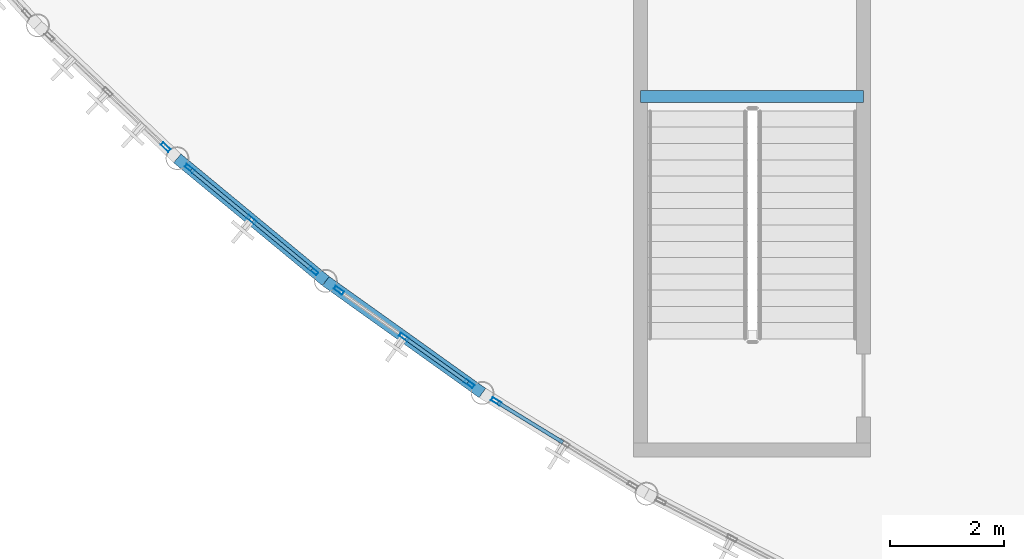
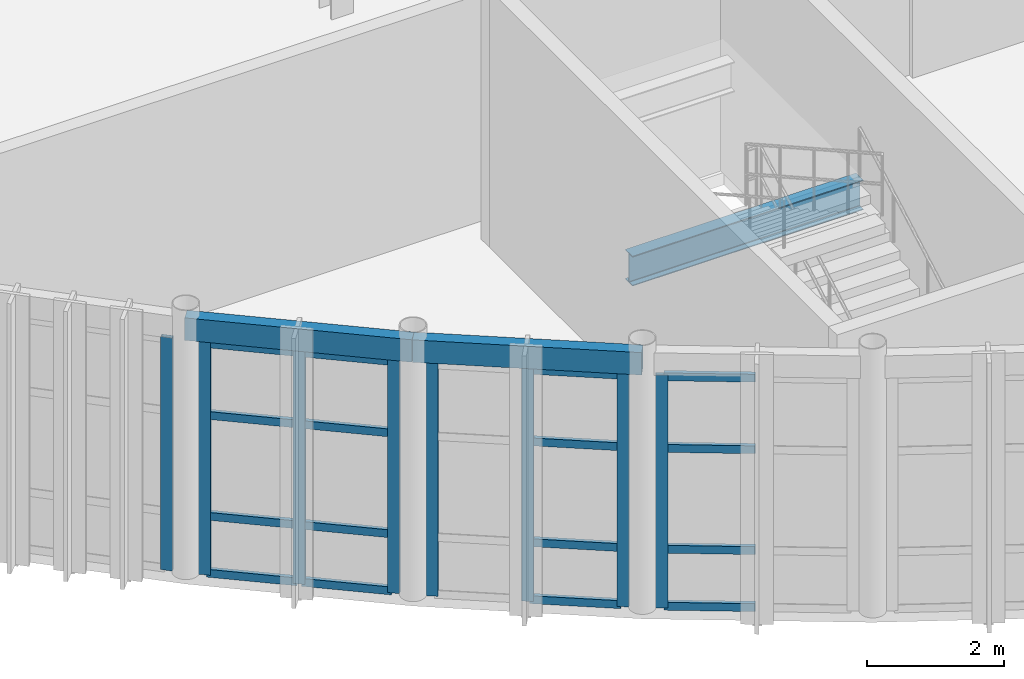
# One storey, part 19 of 105: 24 members, 3 beams, 4 elements without a shape of their own.
"""IFC4 building model written with IfcOpenShell, lengths in metres."""

from ifc_helpers import new_model, si_unit, direction, frame, origin, origin_2d, place, context, subcontext, project, spatial, hollow_rectangle, i_section, extrude, material, layer, layer_set, material_profile, profile_set, type_object, element, aggregate, save


model = new_model("IFC4")

# Units and contexts
model_context = context("Model", 3, precision=1e-05, world=origin(), true_north=direction((0.0, 1.0)))
body_context = subcontext(model_context, "Body", "Model", "MODEL_VIEW")
ifc_project = project(units=[si_unit("LENGTHUNIT", "METRE"), si_unit("AREAUNIT", "SQUARE_METRE"), si_unit("VOLUMEUNIT", "CUBIC_METRE"), si_unit("PLANEANGLEUNIT", "RADIAN"), si_unit("MASSUNIT", "GRAM", prefix="KILO")], contexts=[model_context])

# Site, building, storey
site_placement = place(None, origin())
site = spatial("IfcSite", under=ifc_project, at=site_placement, CompositionType="ELEMENT")
building_placement = place(site_placement, origin())
building = spatial("IfcBuilding", under=site, at=building_placement, Name="Selat Folded Stagehouse", CompositionType="ELEMENT")
storey_placement = place(building_placement, frame((0.0, 0.0, 10.199951171875)))
storey = spatial("IfcBuildingStorey", under=building, at=storey_placement, Name="L02", CompositionType="ELEMENT", Elevation=10.199951171875)

# Beam
ifc_material_1 = material(Name="Steel S355", Category="steel")
ifc_material_profile_1 = material_profile(ifc_material_1, i_section(OverallWidth=0.209228515625, OverallDepth=0.533203125, WebThickness=0.010009765625, FlangeThickness=0.015625, FilletRadius=0.0126953125, at=origin_2d()), Name="UKB 533x210x92")
ifc_profile_set_1 = profile_set([ifc_material_profile_1], Name="Steel S355")
beam_type_1 = type_object("IfcBeamType", Name="BM-GIRD-533x210x92", PredefinedType="BEAM", material=ifc_profile_set_1)
beam_placement = place(storey_placement, frame((24.239990234375, 13.179931640625, 1.933349609375), z_axis=(1.0, 0.0, 0.0), x_axis=(0.0, 1.0, 0.0)))
element("IfcBeam", 1, at=beam_placement, inside=storey, type_object=beam_type_1, Name="L02 ST-09 landing support beam 1", PredefinedType="BEAM", context=body_context, shape_type="SweptSolid", body=[
    extrude(i_section(OverallWidth=0.209228515625, OverallDepth=0.533203125, WebThickness=0.010009765625, FlangeThickness=0.015625, FilletRadius=0.0126953125, at=origin_2d()), origin(), (0.0, 0.0, 1.0), 3.89990234375),
])

# Curtain wall, member
ifc_material_2 = material(Name="Aluminium 6063-T6", Category="aluminium")
ifc_layer = layer(ifc_material_2, 0.199951171875)
ifc_layer_set = layer_set([ifc_layer], Name="Aluminium 6063-T6")
curtain_wall_type = type_object("IfcCurtainWallType", Name="CW-DRM-MID", PredefinedType="NOTDEFINED", material=ifc_layer_set)
curtain_wall_1_placement = place(storey_placement, origin())
curtain_wall_1 = element("IfcCurtainWall", 2, at=curtain_wall_1_placement, inside=storey, type_object=curtain_wall_type, Name="L02 curtain wall CW-DRM-L02-13", PredefinedType="NOTDEFINED")
ifc_material_profile_2 = material_profile(ifc_material_2, hollow_rectangle(XDim=0.06494140625, YDim=0.179931640625, WallThickness=0.00390625, at=origin_2d()), Name="ALU 180x65x4.0")
ifc_profile_set_2 = profile_set([ifc_material_profile_2], Name="Aluminium 6063-T6")
member_type_1 = type_object("IfcMemberType", Name="CWM-MUL-180x65", PredefinedType="MULLION", material=ifc_profile_set_2)
member_1_placement = place(storey_placement, frame((15.932373046875, 12.295654296875, 0.0), z_axis=(0.0, 0.0, 1.0), x_axis=(-0.689661264636, -0.724132128869, 0.0)))
member_1 = element("IfcMember", 3, at=member_1_placement, type_object=member_type_1, Name="CW-02 mullion 1", PredefinedType="MULLION", context=body_context, shape_type="SweptSolid", body=[
    extrude(hollow_rectangle(XDim=0.06494140625, YDim=0.179931640625, WallThickness=0.00390625, at=origin_2d()), origin(), (0.0, 0.0, 1.0), 4.16015625),
])
aggregate(curtain_wall_1, [member_1])

# Curtain wall, members
curtain_wall_2_placement = place(storey_placement, origin())
curtain_wall_2 = element("IfcCurtainWall", 4, at=curtain_wall_2_placement, inside=storey, type_object=curtain_wall_type, Name="L02 curtain wall CW-DRM-L02-14", PredefinedType="NOTDEFINED")
member_2_placement = place(storey_placement, frame((18.515869140625, 10.13427734375, 0.0), z_axis=(0.0, 0.0, 1.0), x_axis=(-0.637141737734, -0.770746654899, 0.0)))
member_2 = element("IfcMember", 5, at=member_2_placement, type_object=member_type_1, Name="CW-02 mullion 1", PredefinedType="MULLION", context=body_context, shape_type="SweptSolid", body=[
    extrude(hollow_rectangle(XDim=0.06494140625, YDim=0.179931640625, WallThickness=0.00390625, at=origin_2d()), origin(), (0.0, 0.0, 1.0), 4.16015625),
])
member_3_placement = place(storey_placement, frame((17.435302734375, 11.027587890625, 0.0), z_axis=(0.0, 0.0, 1.0), x_axis=(-0.637141737734, -0.770746654899, 0.0)))
member_3 = element("IfcMember", 6, at=member_3_placement, type_object=member_type_1, Name="CW-02 mullion 2", PredefinedType="MULLION", context=body_context, shape_type="SweptSolid", body=[
    extrude(hollow_rectangle(XDim=0.06494140625, YDim=0.179931640625, WallThickness=0.00390625, at=origin_2d()), origin(), (0.0, 0.0, 1.0), 4.16015625),
])
member_4_placement = place(storey_placement, frame((16.354736328125, 11.9208984375, 0.0), z_axis=(0.0, 0.0, 1.0), x_axis=(-0.637141737734, -0.770746654899, 0.0)))
member_4 = element("IfcMember", 7, at=member_4_placement, type_object=member_type_1, Name="CW-02 mullion 3", PredefinedType="MULLION", context=body_context, shape_type="SweptSolid", body=[
    extrude(hollow_rectangle(XDim=0.06494140625, YDim=0.179931640625, WallThickness=0.00390625, at=origin_2d()), origin(), (0.0, 0.0, 1.0), 4.16015625),
])

curtain_wall_3_placement = place(storey_placement, origin())
curtain_wall_3 = element("IfcCurtainWall", 8, at=curtain_wall_3_placement, inside=storey, type_object=curtain_wall_type, Name="L02 curtain wall CW-DRM-L02-15", PredefinedType="NOTDEFINED")
member_5_placement = place(storey_placement, frame((21.24462890625, 8.159423828125, 0.0), z_axis=(0.0, 0.0, 1.0), x_axis=(-0.581528304836, -0.813526170861, 0.0)))
member_5 = element("IfcMember", 9, at=member_5_placement, type_object=member_type_1, Name="CW-02 mullion 1", PredefinedType="MULLION", context=body_context, shape_type="SweptSolid", body=[
    extrude(hollow_rectangle(XDim=0.06494140625, YDim=0.179931640625, WallThickness=0.00390625, at=origin_2d()), origin(), (0.0, 0.0, 1.0), 4.16015625),
])
member_6_placement = place(storey_placement, frame((20.10400390625, 8.974609375, 0.0), z_axis=(0.0, 0.0, 1.0), x_axis=(-0.581528304836, -0.813526170861, 0.0)))
member_6 = element("IfcMember", 10, at=member_6_placement, type_object=member_type_1, Name="CW-02 mullion 2", PredefinedType="MULLION", context=body_context, shape_type="SweptSolid", body=[
    extrude(hollow_rectangle(XDim=0.06494140625, YDim=0.179931640625, WallThickness=0.00390625, at=origin_2d()), origin(), (0.0, 0.0, 1.0), 4.16015625),
])
member_7_placement = place(storey_placement, frame((18.96337890625, 9.7900390625, 0.0), z_axis=(0.0, 0.0, 1.0), x_axis=(-0.581528304836, -0.813526170861, 0.0)))
member_7 = element("IfcMember", 11, at=member_7_placement, type_object=member_type_1, Name="CW-02 mullion 3", PredefinedType="MULLION", context=body_context, shape_type="SweptSolid", body=[
    extrude(hollow_rectangle(XDim=0.06494140625, YDim=0.179931640625, WallThickness=0.00390625, at=origin_2d()), origin(), (0.0, 0.0, 1.0), 4.16015625),
])

# Curtain wall, member
curtain_wall_4_placement = place(storey_placement, origin())
curtain_wall_4 = element("IfcCurtainWall", 12, at=curtain_wall_4_placement, inside=storey, type_object=curtain_wall_type, Name="L02 curtain wall CW-DRM-L02-16", PredefinedType="NOTDEFINED")
member_8_placement = place(storey_placement, frame((21.715087890625, 7.847412109375, 0.0), z_axis=(0.0, 0.0, 1.0), x_axis=(-0.523025427755, -0.852317078277, 0.0)))
member_8 = element("IfcMember", 13, at=member_8_placement, type_object=member_type_1, Name="CW-02 mullion 3", PredefinedType="MULLION", context=body_context, shape_type="SweptSolid", body=[
    extrude(hollow_rectangle(XDim=0.06494140625, YDim=0.179931640625, WallThickness=0.00390625, at=origin_2d()), origin(), (0.0, 0.0, 1.0), 4.16015625),
])

# Member
ifc_material_profile_3 = material_profile(ifc_material_2, hollow_rectangle(XDim=0.06494140625, YDim=0.139892578125, WallThickness=0.00390625, at=origin_2d()), Name="ALU 140x65x4.0")
ifc_profile_set_3 = profile_set([ifc_material_profile_3], Name="Aluminium 6063-T6")
member_type_2 = type_object("IfcMemberType", Name="CWM-TRN-140x65", PredefinedType="USERDEFINED", material=ifc_profile_set_3)
member_9_placement = place(storey_placement, frame((18.49072265625, 10.155029296875, 0.032470703125), z_axis=(-0.770700463685, 0.637197610852, 0.0), x_axis=(-0.637197610852, -0.770700463685, 0.0)))
member_9 = element("IfcMember", 14, at=member_9_placement, type_object=member_type_2, Name="CW-02 transom 1.1", ObjectType="TRANSOM", PredefinedType="USERDEFINED", context=body_context, shape_type="SweptSolid", body=[
    extrude(hollow_rectangle(XDim=0.06494140625, YDim=0.139892578125, WallThickness=0.00390625, at=origin_2d()), origin(), (0.0, 0.0, 1.0), 1.3369140625),
])

member_10_placement = place(storey_placement, frame((18.49072265625, 10.155029296875, 1.050048828125), z_axis=(-0.770700463685, 0.637197610852, 0.0), x_axis=(-0.637197610852, -0.770700463685, 0.0)))
member_10 = element("IfcMember", 15, at=member_10_placement, type_object=member_type_2, Name="CW-02 transom 1.2", ObjectType="TRANSOM", PredefinedType="USERDEFINED", context=body_context, shape_type="SweptSolid", body=[
    extrude(hollow_rectangle(XDim=0.06494140625, YDim=0.139892578125, WallThickness=0.00390625, at=origin_2d()), origin(), (0.0, 0.0, 1.0), 1.3369140625),
])

member_11_placement = place(storey_placement, frame((18.49072265625, 10.155029296875, 2.85009765625), z_axis=(-0.770700463685, 0.637197610852, 0.0), x_axis=(-0.637197610852, -0.770700463685, 0.0)))
member_11 = element("IfcMember", 16, at=member_11_placement, type_object=member_type_2, Name="CW-02 transom 1.3", ObjectType="TRANSOM", PredefinedType="USERDEFINED", context=body_context, shape_type="SweptSolid", body=[
    extrude(hollow_rectangle(XDim=0.06494140625, YDim=0.139892578125, WallThickness=0.00390625, at=origin_2d()), origin(), (0.0, 0.0, 1.0), 1.3369140625),
])

member_12_placement = place(storey_placement, frame((18.49072265625, 10.155029296875, 4.12744140625), z_axis=(-0.770700463685, 0.637197610852, 0.0), x_axis=(-0.637197610852, -0.770700463685, 0.0)))
member_12 = element("IfcMember", 17, at=member_12_placement, type_object=member_type_2, Name="CW-02 transom 1.4", ObjectType="TRANSOM", PredefinedType="USERDEFINED", context=body_context, shape_type="SweptSolid", body=[
    extrude(hollow_rectangle(XDim=0.06494140625, YDim=0.139892578125, WallThickness=0.00390625, at=origin_2d()), origin(), (0.0, 0.0, 1.0), 1.3369140625),
])

member_13_placement = place(storey_placement, frame((17.41015625, 11.04833984375, 0.032470703125), z_axis=(-0.770700463685, 0.637197610852, 0.0), x_axis=(-0.637197610852, -0.770700463685, 0.0)))
member_13 = element("IfcMember", 18, at=member_13_placement, type_object=member_type_2, Name="CW-02 transom 2.1", ObjectType="TRANSOM", PredefinedType="USERDEFINED", context=body_context, shape_type="SweptSolid", body=[
    extrude(hollow_rectangle(XDim=0.06494140625, YDim=0.139892578125, WallThickness=0.00390625, at=origin_2d()), origin(), (0.0, 0.0, 1.0), 1.3369140625),
])

member_14_placement = place(storey_placement, frame((17.41015625, 11.04833984375, 1.050048828125), z_axis=(-0.770700463685, 0.637197610852, 0.0), x_axis=(-0.637197610852, -0.770700463685, 0.0)))
member_14 = element("IfcMember", 19, at=member_14_placement, type_object=member_type_2, Name="CW-02 transom 2.2", ObjectType="TRANSOM", PredefinedType="USERDEFINED", context=body_context, shape_type="SweptSolid", body=[
    extrude(hollow_rectangle(XDim=0.06494140625, YDim=0.139892578125, WallThickness=0.00390625, at=origin_2d()), origin(), (0.0, 0.0, 1.0), 1.3369140625),
])

member_15_placement = place(storey_placement, frame((17.41015625, 11.04833984375, 2.85009765625), z_axis=(-0.770700463685, 0.637197610852, 0.0), x_axis=(-0.637197610852, -0.770700463685, 0.0)))
member_15 = element("IfcMember", 20, at=member_15_placement, type_object=member_type_2, Name="CW-02 transom 2.3", ObjectType="TRANSOM", PredefinedType="USERDEFINED", context=body_context, shape_type="SweptSolid", body=[
    extrude(hollow_rectangle(XDim=0.06494140625, YDim=0.139892578125, WallThickness=0.00390625, at=origin_2d()), origin(), (0.0, 0.0, 1.0), 1.3369140625),
])

member_16_placement = place(storey_placement, frame((17.41015625, 11.04833984375, 4.12744140625), z_axis=(-0.770700463685, 0.637197610852, 0.0), x_axis=(-0.637197610852, -0.770700463685, 0.0)))
member_16 = element("IfcMember", 21, at=member_16_placement, type_object=member_type_2, Name="CW-02 transom 2.4", ObjectType="TRANSOM", PredefinedType="USERDEFINED", context=body_context, shape_type="SweptSolid", body=[
    extrude(hollow_rectangle(XDim=0.06494140625, YDim=0.139892578125, WallThickness=0.00390625, at=origin_2d()), origin(), (0.0, 0.0, 1.0), 1.3369140625),
])

aggregate(curtain_wall_2, [member_2, member_3, member_4, member_9, member_10, member_11, member_12, member_13, member_14, member_15, member_16])

member_17_placement = place(storey_placement, frame((21.218017578125, 8.17822265625, 0.032470703125), z_axis=(-0.813486640015, 0.581583602345, 0.0), x_axis=(-0.581583602345, -0.813486640015, 0.0)))
member_17 = element("IfcMember", 22, at=member_17_placement, type_object=member_type_2, Name="CW-02 transom 1.1", ObjectType="TRANSOM", PredefinedType="USERDEFINED", context=body_context, shape_type="SweptSolid", body=[
    extrude(hollow_rectangle(XDim=0.06494140625, YDim=0.139892578125, WallThickness=0.00390625, at=origin_2d()), origin(), (0.0, 0.0, 1.0), 1.3369140625),
])

member_18_placement = place(storey_placement, frame((21.218017578125, 8.17822265625, 1.050048828125), z_axis=(-0.813486640015, 0.581583602345, 0.0), x_axis=(-0.581583602345, -0.813486640015, 0.0)))
member_18 = element("IfcMember", 23, at=member_18_placement, type_object=member_type_2, Name="CW-02 transom 1.2", ObjectType="TRANSOM", PredefinedType="USERDEFINED", context=body_context, shape_type="SweptSolid", body=[
    extrude(hollow_rectangle(XDim=0.06494140625, YDim=0.139892578125, WallThickness=0.00390625, at=origin_2d()), origin(), (0.0, 0.0, 1.0), 1.3369140625),
])

member_19_placement = place(storey_placement, frame((21.218017578125, 8.17822265625, 2.85009765625), z_axis=(-0.813486640015, 0.581583602345, 0.0), x_axis=(-0.581583602345, -0.813486640015, 0.0)))
member_19 = element("IfcMember", 24, at=member_19_placement, type_object=member_type_2, Name="CW-02 transom 1.3", ObjectType="TRANSOM", PredefinedType="USERDEFINED", context=body_context, shape_type="SweptSolid", body=[
    extrude(hollow_rectangle(XDim=0.06494140625, YDim=0.139892578125, WallThickness=0.00390625, at=origin_2d()), origin(), (0.0, 0.0, 1.0), 1.3369140625),
])

member_20_placement = place(storey_placement, frame((21.218017578125, 8.17822265625, 4.12744140625), z_axis=(-0.813486640015, 0.581583602345, 0.0), x_axis=(-0.581583602345, -0.813486640015, 0.0)))
member_20 = element("IfcMember", 25, at=member_20_placement, type_object=member_type_2, Name="CW-02 transom 1.4", ObjectType="TRANSOM", PredefinedType="USERDEFINED", context=body_context, shape_type="SweptSolid", body=[
    extrude(hollow_rectangle(XDim=0.06494140625, YDim=0.139892578125, WallThickness=0.00390625, at=origin_2d()), origin(), (0.0, 0.0, 1.0), 1.3369140625),
])

aggregate(curtain_wall_3, [member_5, member_6, member_7, member_17, member_18, member_19, member_20])

member_21_placement = place(storey_placement, frame((22.88232421875, 7.131103515625, 0.032470703125), z_axis=(-0.852309776762, 0.523037326044, 0.0), x_axis=(-0.523037326044, -0.852309776762, 0.0)))
member_21 = element("IfcMember", 26, at=member_21_placement, type_object=member_type_2, Name="CW-02 transom 2.1", ObjectType="TRANSOM", PredefinedType="USERDEFINED", context=body_context, shape_type="SweptSolid", body=[
    extrude(hollow_rectangle(XDim=0.06494140625, YDim=0.139892578125, WallThickness=0.00390625, at=origin_2d()), origin(), (0.0, 0.0, 1.0), 1.3369140625),
])

member_22_placement = place(storey_placement, frame((22.88232421875, 7.131103515625, 1.050048828125), z_axis=(-0.852309776762, 0.523037326044, 0.0), x_axis=(-0.523037326044, -0.852309776762, 0.0)))
member_22 = element("IfcMember", 27, at=member_22_placement, type_object=member_type_2, Name="CW-02 transom 2.2", ObjectType="TRANSOM", PredefinedType="USERDEFINED", context=body_context, shape_type="SweptSolid", body=[
    extrude(hollow_rectangle(XDim=0.06494140625, YDim=0.139892578125, WallThickness=0.00390625, at=origin_2d()), origin(), (0.0, 0.0, 1.0), 1.3369140625),
])

member_23_placement = place(storey_placement, frame((22.88232421875, 7.131103515625, 2.85009765625), z_axis=(-0.852309776762, 0.523037326044, 0.0), x_axis=(-0.523037326044, -0.852309776762, 0.0)))
member_23 = element("IfcMember", 28, at=member_23_placement, type_object=member_type_2, Name="CW-02 transom 2.3", ObjectType="TRANSOM", PredefinedType="USERDEFINED", context=body_context, shape_type="SweptSolid", body=[
    extrude(hollow_rectangle(XDim=0.06494140625, YDim=0.139892578125, WallThickness=0.00390625, at=origin_2d()), origin(), (0.0, 0.0, 1.0), 1.3369140625),
])

member_24_placement = place(storey_placement, frame((22.88232421875, 7.131103515625, 4.12744140625), z_axis=(-0.852309776762, 0.523037326044, 0.0), x_axis=(-0.523037326044, -0.852309776762, 0.0)))
member_24 = element("IfcMember", 29, at=member_24_placement, type_object=member_type_2, Name="CW-02 transom 2.4", ObjectType="TRANSOM", PredefinedType="USERDEFINED", context=body_context, shape_type="SweptSolid", body=[
    extrude(hollow_rectangle(XDim=0.06494140625, YDim=0.139892578125, WallThickness=0.00390625, at=origin_2d()), origin(), (0.0, 0.0, 1.0), 1.3369140625),
])

aggregate(curtain_wall_4, [member_8, member_21, member_22, member_23, member_24])

# Beams
ifc_material_profile_4 = material_profile(ifc_material_1, hollow_rectangle(XDim=0.199951171875, YDim=0.39990234375, WallThickness=0.012451171875, at=origin_2d()), Name="RHS 400x200x12.5")
ifc_profile_set_4 = profile_set([ifc_material_profile_4], Name="Steel S355")
beam_type_2 = type_object("IfcBeamType", Name="SPD-EXT-400x200", PredefinedType="SPANDREL", material=ifc_profile_set_4)
for number, where, z_axis, x_axis, name in (
    (30, (16.136962890625, 12.100830078125, 4.400146484375), (0.770757502018, -0.637128615809, 0.0), (0.637128615809, 0.770757502018, 0.0), "L02 curved drum spandrel beam 15"),
    (31, (18.733642578125, 9.954345703125, 4.400146484375), (0.813513074284, -0.581546625791, 0.0), (0.581546625791, 0.813513074284, 0.0), "L02 curved drum spandrel beam 16"),
):
    element("IfcBeam", number, at=place(storey_placement, frame(where, z_axis=z_axis, x_axis=x_axis)), inside=storey, type_object=beam_type_2, Name=name, PredefinedType="SPANDREL", context=body_context, shape_type="SweptSolid", body=[
        extrude(hollow_rectangle(XDim=0.199951171875, YDim=0.39990234375, WallThickness=0.012451171875, at=origin_2d()), origin(), (0.0, 0.0, 1.0), 3.368896484375),
    ])

save(model, "model.ifc")
